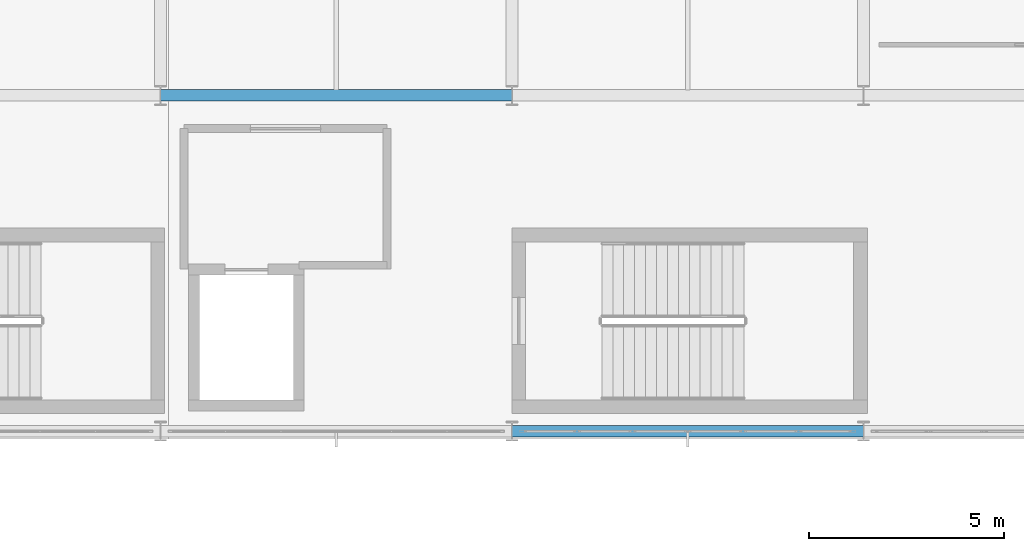
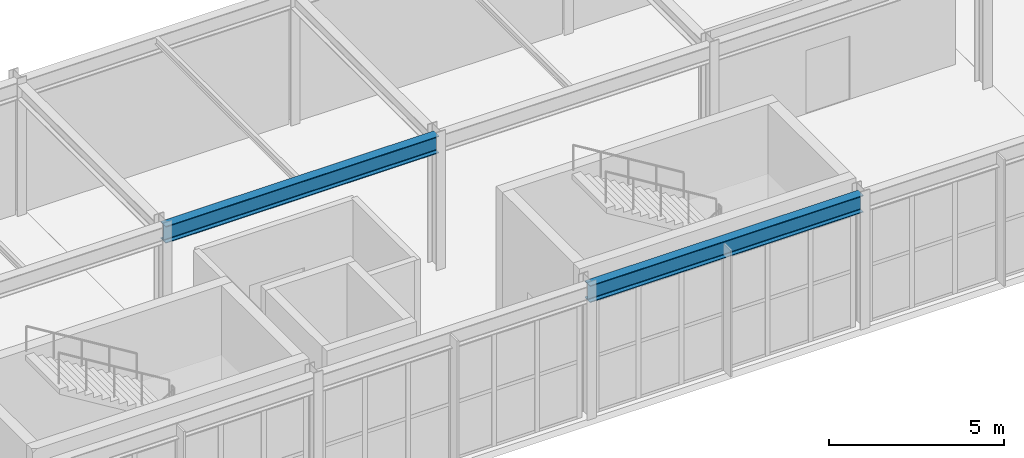
# One storey, part 30 of 112: 2 beams.
"""IFC4 building model written with IfcOpenShell, lengths in metres."""

from ifc_helpers import new_model, si_unit, direction, frame, origin, origin_2d, place, context, subcontext, project, spatial, i_section, extrude, material, material_profile, profile_set, type_object, element, save


model = new_model("IFC4")

# Units and contexts
model_context = context("Model", 3, precision=1e-05, world=origin(), true_north=direction((0.0, 1.0)))
body_context = subcontext(model_context, "Body", "Model", "MODEL_VIEW")
ifc_project = project(units=[si_unit("LENGTHUNIT", "METRE"), si_unit("AREAUNIT", "SQUARE_METRE"), si_unit("VOLUMEUNIT", "CUBIC_METRE"), si_unit("PLANEANGLEUNIT", "RADIAN"), si_unit("MASSUNIT", "GRAM", prefix="KILO")], contexts=[model_context])

# Site, building, storey
site_placement = place(None, origin())
site = spatial("IfcSite", under=ifc_project, at=site_placement, CompositionType="ELEMENT")
building_placement = place(site_placement, origin())
building = spatial("IfcBuilding", under=site, at=building_placement, Name="Kaldris Quays Convention Centre", CompositionType="ELEMENT")
storey_placement = place(building_placement, frame((0.0, 0.0, 16.800048828125)))
storey = spatial("IfcBuildingStorey", under=building, at=storey_placement, Name="L03", CompositionType="ELEMENT", Elevation=16.800048828125)

# Beams
ifc_material = material(Name="Steel S355J2", Category="steel")
ifc_material_profile = material_profile(ifc_material, i_section(OverallWidth=0.300048828125, OverallDepth=0.590087890625, WebThickness=0.012939453125, FlangeThickness=0.02490234375, FilletRadius=0.027099609375, at=origin_2d()), Name="HEA 600")
ifc_profile_set = profile_set([ifc_material_profile], Name="Steel S355J2")
beam_type = type_object("IfcBeamType", Name="STRUCTURAL BEAM BM08", PredefinedType="BEAM", material=ifc_profile_set)
for number, where, z_axis, x_axis, name in (
    (1, (110.001220703125, 38.0, 4.284912109375), (1.0, 0.0, 0.0), (0.0, 1.0, 0.0), "L03 Girder BM08 4"),
    (2, (101.001220703125, 46.60009765625, 4.284912109375), (1.0, 0.0, 0.0), (0.0, 1.0, 0.0), "L03 Girder BM08 12"),
):
    element("IfcBeam", number, at=place(storey_placement, frame(where, z_axis=z_axis, x_axis=x_axis)), inside=storey, type_object=beam_type, Name=name, PredefinedType="BEAM", context=body_context, shape_type="SweptSolid", body=[
        extrude(i_section(OverallWidth=0.300048828125, OverallDepth=0.590087890625, WebThickness=0.012939453125, FlangeThickness=0.02490234375, FilletRadius=0.027099609375, at=origin_2d()), origin(), (0.0, 0.0, 1.0), 8.99755859375),
    ])

save(model, "model.ifc")
